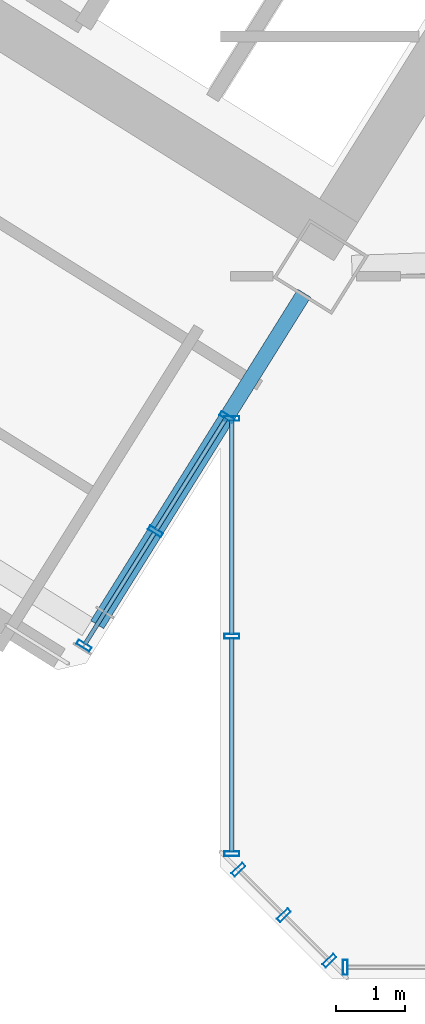
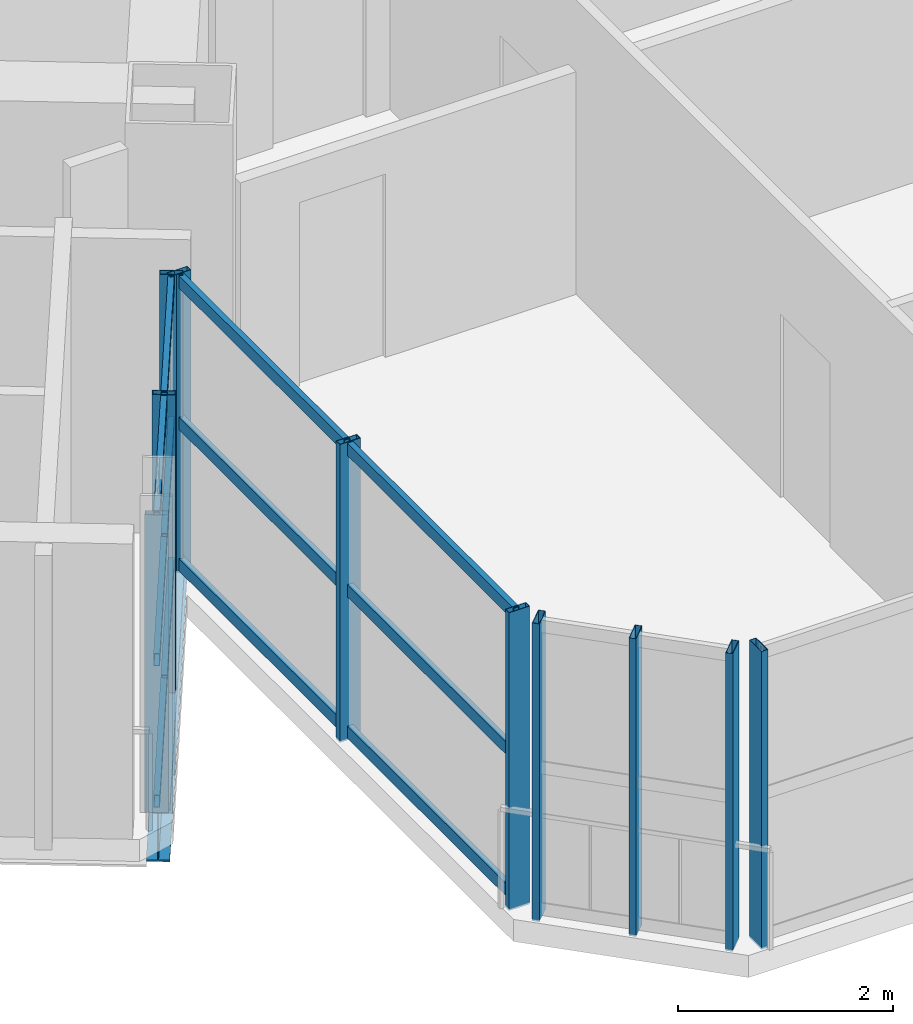
# One storey, part 5 of 24: 22 members, 1 beam, 4 elements without a shape of their own.
"""IFC4 building model written with IfcOpenShell, lengths in metres."""

import ifcopenshell
import ifcopenshell.guid

model = None  # the IFC model being written
_history = None  # IfcOwnerHistory: only IFC2X3 demands one
_inside = {}  # id of a spatial element -> (the spatial element, [elements in it])
_under = {}  # id of a project, library or spatial element -> (it, [spatial elements below it])
_declared = {}  # id of a project -> (the project, [libraries it declares])
_typed = {}  # id of a type object -> (the type object, [elements of that type])
_made_of = {}  # id of a material, layer set ... -> (it, [elements and type objects made of it])


def new_model(schema):
    """Start an empty IFC model of exactly this schema.

    Asked for "IFC4X3", IfcOpenShell would pick the latest addendum, in which some entities
    have other attributes; the version numbers below select the first issue.
    IFC2X3 requires an IfcOwnerHistory on every rooted entity: one is made here for all.
    """
    global model, _history
    if schema == "IFC4X3":
        model = ifcopenshell.file(schema_version=(4, 3, 0, 0))
    else:
        model = ifcopenshell.file(schema=schema)
    _inside.clear()
    _under.clear()
    _declared.clear()
    _typed.clear()
    _made_of.clear()
    _history = None
    if model.schema == "IFC2X3":
        org = make("IfcOrganization", Name="unknown")
        user = make(
            "IfcPersonAndOrganization",
            ThePerson=make("IfcPerson", FamilyName="unknown"),
            TheOrganization=org,
        )
        app = make(
            "IfcApplication",
            ApplicationDeveloper=org,
            Version="unknown",
            ApplicationFullName="unknown",
            ApplicationIdentifier="unknown",
        )
        _history = make(
            "IfcOwnerHistory",
            OwningUser=user,
            OwningApplication=app,
            ChangeAction="ADDED",
            CreationDate=0,
        )
    return model


def make(cls, **values):
    """One entity of the class cls with the attributes given. An attribute that is None is left unset."""
    return model.create_entity(
        cls, **{name: value for name, value in values.items() if value is not None}
    )


def rooted(cls, **values):
    """An entity with a GlobalId (a new one), such as an element, a storey or a relation."""
    return make(cls, GlobalId=ifcopenshell.guid.new(), OwnerHistory=_history, **values)


def si_unit(unit_type, name, prefix=None):
    """IfcSIUnit, for example si_unit("LENGTHUNIT", "METRE", prefix="MILLI")."""
    return make("IfcSIUnit", UnitType=unit_type, Prefix=prefix, Name=name)


def assignment(units):
    """IfcUnitAssignment: the units of a project."""
    return None if units is None else make("IfcUnitAssignment", Units=units)


def point(xyz):
    """IfcCartesianPoint."""
    return None if xyz is None else make("IfcCartesianPoint", Coordinates=xyz)


def direction(xyz):
    """IfcDirection."""
    return None if xyz is None else make("IfcDirection", DirectionRatios=xyz)


def frame(location, z_axis=None, x_axis=None):
    """IfcAxis2Placement3D, a coordinate frame: its origin and axes. An axis left out is left unset."""
    return make(
        "IfcAxis2Placement3D",
        Location=point(location),
        Axis=direction(z_axis),
        RefDirection=direction(x_axis),
    )


def frame_2d(location, x_axis=None):
    """IfcAxis2Placement2D, a coordinate frame in the plane: its origin and x axis."""
    return make(
        "IfcAxis2Placement2D", Location=point(location), RefDirection=direction(x_axis)
    )


def origin():
    """The frame at (0, 0, 0) with its axes left unset."""
    return frame((0.0, 0.0, 0.0))


def origin_2d():
    """The frame at (0, 0) in the plane with its x axis left unset."""
    return frame_2d((0.0, 0.0))


def place(relative_to, where):
    """IfcLocalPlacement: puts the frame where relative to a parent placement (None: the world)."""
    return make(
        "IfcLocalPlacement", PlacementRelTo=relative_to, RelativePlacement=where
    )


def context(
    kind, dimensions, precision=None, world=None, true_north=None, identifier=None
):
    """IfcGeometricRepresentationContext, for example the 3D "Model" context."""
    return make(
        "IfcGeometricRepresentationContext",
        ContextIdentifier=identifier,
        ContextType=kind,
        CoordinateSpaceDimension=dimensions,
        Precision=precision,
        WorldCoordinateSystem=world,
        TrueNorth=true_north,
    )


def subcontext(parent, identifier, kind, view, scale=None):
    """IfcGeometricRepresentationSubContext, for example "Body" below "Model"."""
    return make(
        "IfcGeometricRepresentationSubContext",
        ContextIdentifier=identifier,
        ContextType=kind,
        ParentContext=parent,
        TargetScale=scale,
        TargetView=view,
    )


def project(units=None, contexts=None):
    """IfcProject with its units and contexts."""
    return rooted(
        "IfcProject",
        Name="project",
        RepresentationContexts=contexts,
        UnitsInContext=assignment(units),
    )


def spatial(cls, under=None, at=None, **own):
    """A site, building, storey or space (cls), placed at a placement, below another one or the project."""
    s = rooted(cls, ObjectPlacement=at, **own)
    if under is not None:
        _under.setdefault(under.id(), (under, []))[1].append(s)
    return s


def profile(cls, at=None, kind="AREA", **sizes):
    """A parametric profile (cls). Its sizes go by their IFC names, for example OverallWidth=200.0."""
    return make(cls, ProfileType=kind, Position=at, **sizes)


def hollow_rectangle(**sizes):
    """IfcRectangleHollowProfileDef."""
    return profile("IfcRectangleHollowProfileDef", **sizes)


def i_section(**sizes):
    """IfcIShapeProfileDef."""
    return profile("IfcIShapeProfileDef", **sizes)


def extrude(swept, where, along, depth):
    """IfcExtrudedAreaSolid: the profile swept, set in the frame where, extruded along a direction by depth."""
    return make(
        "IfcExtrudedAreaSolid",
        SweptArea=swept,
        Position=where,
        ExtrudedDirection=direction(along),
        Depth=depth,
    )


def shape(context_of_items, identifier, shape_type, items):
    """IfcShapeRepresentation: the items that make up one representation, for example the "Body"."""
    return make(
        "IfcShapeRepresentation",
        ContextOfItems=context_of_items,
        RepresentationIdentifier=identifier,
        RepresentationType=shape_type,
        Items=items,
    )


def source(mapping_origin, context_of_items, identifier, shape_type, items):
    """IfcRepresentationMap: a shape defined once, which mapped items show again and again."""
    return make(
        "IfcRepresentationMap",
        MappingOrigin=mapping_origin,
        MappedRepresentation=shape(context_of_items, identifier, shape_type, items),
    )


def transform(
    local_origin,
    x_axis=None,
    y_axis=None,
    z_axis=None,
    scale=None,
    scale2=None,
    scale3=None,
    uniform=True,
):
    """IfcCartesianTransformationOperator3D, or its non-uniform kind. x_axis, y_axis, z_axis: its Axis1, 2, 3."""
    if uniform:
        return make(
            "IfcCartesianTransformationOperator3D",
            Axis1=direction(x_axis),
            Axis2=direction(y_axis),
            LocalOrigin=point(local_origin),
            Scale=scale,
            Axis3=direction(z_axis),
        )
    return make(
        "IfcCartesianTransformationOperator3DnonUniform",
        Axis1=direction(x_axis),
        Axis2=direction(y_axis),
        LocalOrigin=point(local_origin),
        Scale=scale,
        Axis3=direction(z_axis),
        Scale2=scale2,
        Scale3=scale3,
    )


def mapped(mapping_source, mapping_target):
    """IfcMappedItem: shows the shape of a source again, moved by a transform."""
    return make(
        "IfcMappedItem", MappingSource=mapping_source, MappingTarget=mapping_target
    )


def material(Name=None, Category=None):
    """IfcMaterial."""
    return make("IfcMaterial", Name=Name, Category=Category)


def material_profile(
    of_material, cross_section, Name=None, Category=None, Priority=None
):
    """IfcMaterialProfile: a cross section and its material."""
    return make(
        "IfcMaterialProfile",
        Name=Name,
        Material=of_material,
        Profile=cross_section,
        Priority=Priority,
        Category=Category,
    )


def profile_set(profiles, Name=None, composite=None):
    """IfcMaterialProfileSet."""
    return make(
        "IfcMaterialProfileSet",
        Name=Name,
        MaterialProfiles=profiles,
        CompositeProfile=composite,
    )


def made_of(thing, what):
    """Note that an element or type object is made of a material, layer set ...; save() writes the relation."""
    if what is not None:
        _made_of.setdefault(what.id(), (what, []))[1].append(thing)
    return thing


def type_object(cls, material=None, **own):
    """A type object (cls), such as IfcWallType, which elements share."""
    return made_of(rooted(cls, **own), material)


def element(
    cls,
    number,
    at=None,
    inside=None,
    cuts=None,
    type_object=None,
    material=None,
    context=None,
    identifier="Body",
    shape_type=None,
    held_by="IfcProductDefinitionShape",
    body=None,
    shapes=None,
    **own,
):
    """One element of the class cls, such as IfcWall. Its Tag is "e" and its number.

    at: its placement. inside: the storey or other place that contains it. cuts: it is an
    opening in that element (IfcRelVoidsElement). A single representation is given by context,
    identifier, shape_type and body (its items); several are given by shapes. held_by: the class
    of the entity that holds the representations. save() writes the other relations.
    """
    e = rooted(cls, Tag="e%d" % number, ObjectPlacement=at, **own)
    if body is not None:
        shapes = [shape(context, identifier, shape_type, body)]
    if shapes is not None:
        e.Representation = make(held_by, Representations=shapes)
    if inside is not None:
        _inside.setdefault(inside.id(), (inside, []))[1].append(e)
    if cuts is not None:
        rooted(
            "IfcRelVoidsElement", RelatingBuildingElement=cuts, RelatedOpeningElement=e
        )
    if type_object is not None:
        _typed.setdefault(type_object.id(), (type_object, []))[1].append(e)
    return made_of(e, material)


def aggregate(whole, parts):
    """IfcRelAggregates: a whole, such as a stair, and the parts it consists of."""
    return rooted("IfcRelAggregates", RelatingObject=whole, RelatedObjects=parts)


def save(model, path):
    """Write the relations noted so far, then the file.

    IfcRelAggregates (storeys below a building ...), IfcRelContainedInSpatialStructure (elements
    in a storey), IfcRelDefinesByType, IfcRelAssociatesMaterial and IfcRelDeclares: one each for
    every whole, place, type object, material and project.
    """
    for whole, parts in _under.values():
        aggregate(whole, parts)
    for where, things in _inside.values():
        rooted(
            "IfcRelContainedInSpatialStructure",
            RelatedElements=things,
            RelatingStructure=where,
        )
    for kind, things in _typed.values():
        rooted("IfcRelDefinesByType", RelatedObjects=things, RelatingType=kind)
    for what, things in _made_of.values():
        rooted("IfcRelAssociatesMaterial", RelatedObjects=things, RelatingMaterial=what)
    for by, libraries in _declared.values():
        rooted("IfcRelDeclares", RelatingContext=by, RelatedDefinitions=libraries)
    model.write(path)


model = new_model("IFC4")

# Units and contexts
model_context = context("Model", 3, precision=1e-05, world=origin(), true_north=direction((0.0, 1.0)))
body_context = subcontext(model_context, "Body", "Model", "MODEL_VIEW")
ifc_project = project(units=[si_unit("LENGTHUNIT", "METRE"), si_unit("AREAUNIT", "SQUARE_METRE"), si_unit("VOLUMEUNIT", "CUBIC_METRE"), si_unit("PLANEANGLEUNIT", "RADIAN"), si_unit("MASSUNIT", "GRAM", prefix="KILO")], contexts=[model_context])

# Site, building, storey
site_placement = place(None, origin())
site = spatial("IfcSite", under=ifc_project, at=site_placement, CompositionType="ELEMENT")
building_placement = place(site_placement, origin())
building = spatial("IfcBuilding", under=site, at=building_placement, Name="Tlacorven Tower", CompositionType="ELEMENT")
storey_placement = place(building_placement, frame((0.0, 0.0, 31.199951171875)))
storey = spatial("IfcBuildingStorey", under=building, at=storey_placement, Name="L07", CompositionType="ELEMENT", Elevation=31.199951171875)

# Beam
ifc_material_1 = material(Name="Steel S355J2", Category="steel")
ifc_material_profile_1 = material_profile(ifc_material_1, i_section(OverallWidth=0.219970703125, OverallDepth=0.60009765625, WebThickness=0.011962890625, FlangeThickness=0.01904296875, at=origin_2d()), Name="IPE 600")
ifc_profile_set_1 = profile_set([ifc_material_profile_1], Name="Steel S355J2")
beam_type = type_object("IfcBeamType", Name="BM-TWR-600", PredefinedType="BEAM", material=ifc_profile_set_1)
shared_shape_1 = source(origin(), body_context, "Body", "SweptSolid", [
    extrude(i_section(OverallWidth=0.219970703125, OverallDepth=0.60009765625, WebThickness=0.011962890625, FlangeThickness=0.01904296875, at=origin_2d()), origin(), (0.0, 0.0, 1.0), 5.64990234375),
])
beam_placement = place(storey_placement, frame((32.8076171875, 11.705322265625, -0.550048828125), z_axis=(-0.529897948462, -0.848061415356, 0.0), x_axis=(0.848061415356, -0.529897948462, 0.0)))
element("IfcBeam", 1, at=beam_placement, inside=storey, type_object=beam_type, Name="L07 beam BM-L07-WT1-2", PredefinedType="BEAM", context=body_context, shape_type="MappedRepresentation", body=[
    mapped(shared_shape_1, transform((0.0, 0.0, 0.0), scale=1.0)),
])

# Curtain wall, member
ifc_material_2 = material(Name="Dark solar low-E double glazing in aluminium frame", Category="aluminium")
curtain_wall_type = type_object("IfcCurtainWallType", Name="CW-TWR-LOW", PredefinedType="USERDEFINED", material=ifc_material_2)
curtain_wall_1_placement = place(storey_placement, origin())
curtain_wall_1 = element("IfcCurtainWall", 2, at=curtain_wall_1_placement, inside=storey, type_object=curtain_wall_type, Name="L07 CW-TWR-LOW Curtain Wall 34", ObjectType="UNITISED CURTAIN WALL", PredefinedType="USERDEFINED")
ifc_material_3 = material(Name="Aluminium 6063-T6 anodised", Category="aluminium")
ifc_material_profile_2 = material_profile(ifc_material_3, hollow_rectangle(XDim=0.070068359375, YDim=0.219970703125, WallThickness=0.0048828125, at=origin_2d()), Name="ALU MULLION 70X220")
ifc_profile_set_2 = profile_set([ifc_material_profile_2], Name="Aluminium 6063-T6 anodised")
member_type_1 = type_object("IfcMemberType", Name="CWM-01", PredefinedType="MULLION", material=ifc_profile_set_2)
shared_shape_2 = source(origin(), body_context, "Body", "SweptSolid", [
    extrude(hollow_rectangle(XDim=0.070068359375, YDim=0.219970703125, WallThickness=0.0048828125, at=origin_2d()), origin(), (0.0, 0.0, 1.0), 3.380126953125),
])
member_1_placement = place(storey_placement, frame((33.4013671875, 1.9599609375, -0.02001953125), z_axis=(0.0, 0.0, 1.0), x_axis=(-1.0, 0.0, 0.0)))
member_1 = element("IfcMember", 3, at=member_1_placement, type_object=member_type_1, Name="CW-L07-034 Mullion 4", PredefinedType="MULLION", context=body_context, shape_type="MappedRepresentation", body=[
    mapped(shared_shape_2, transform((0.0, 0.0, 0.0), scale=1.0)),
])
aggregate(curtain_wall_1, [member_1])

# Curtain wall, members
curtain_wall_2_placement = place(storey_placement, origin())
curtain_wall_2 = element("IfcCurtainWall", 4, at=curtain_wall_2_placement, inside=storey, type_object=curtain_wall_type, Name="L07 CW-TWR-LOW Curtain Wall 35", ObjectType="UNITISED CURTAIN WALL", PredefinedType="USERDEFINED")
member_2_placement = place(storey_placement, frame((33.1708984375, 2.055419921875, -0.02001953125), z_axis=(0.0, 0.0, 1.0), x_axis=(-0.707106781187, 0.707106781187, 0.0)))
member_2 = element("IfcMember", 5, at=member_2_placement, type_object=member_type_1, Name="CW-L07-035 Mullion 1", PredefinedType="MULLION", context=body_context, shape_type="MappedRepresentation", body=[
    mapped(shared_shape_2, transform((0.0, 0.0, 0.0), scale=1.0)),
])
member_3_placement = place(storey_placement, frame((32.51318359375, 2.713134765625, -0.02001953125), z_axis=(0.0, 0.0, 1.0), x_axis=(-0.707106781187, 0.707106781187, 0.0)))
member_3 = element("IfcMember", 6, at=member_3_placement, type_object=member_type_1, Name="CW-L07-035 Mullion 2", PredefinedType="MULLION", context=body_context, shape_type="MappedRepresentation", body=[
    mapped(shared_shape_2, transform((0.0, 0.0, 0.0), scale=1.0)),
])
member_4_placement = place(storey_placement, frame((31.85546875, 3.370849609375, -0.02001953125), z_axis=(0.0, 0.0, 1.0), x_axis=(-0.707106781187, 0.707106781187, 0.0)))
member_4 = element("IfcMember", 7, at=member_4_placement, type_object=member_type_1, Name="CW-L07-035 Mullion 3", PredefinedType="MULLION", context=body_context, shape_type="MappedRepresentation", body=[
    mapped(shared_shape_2, transform((0.0, 0.0, 0.0), scale=1.0)),
])
aggregate(curtain_wall_2, [member_2, member_3, member_4])

curtain_wall_3_placement = place(storey_placement, origin())
curtain_wall_3 = element("IfcCurtainWall", 8, at=curtain_wall_3_placement, inside=storey, type_object=curtain_wall_type, Name="L07 CW-TWR-LOW Curtain Wall 36", ObjectType="UNITISED CURTAIN WALL", PredefinedType="USERDEFINED")
member_5_placement = place(storey_placement, frame((31.760009765625, 3.601318359375, -0.02001953125), z_axis=(0.0, 0.0, 1.0), x_axis=(0.0, 1.0, 0.0)))
member_5 = element("IfcMember", 9, at=member_5_placement, type_object=member_type_1, Name="CW-L07-036 Mullion 1", PredefinedType="MULLION", context=body_context, shape_type="MappedRepresentation", body=[
    mapped(shared_shape_2, transform((0.0, 0.0, 0.0), scale=1.0)),
])
member_6_placement = place(storey_placement, frame((31.760009765625, 6.74755859375, -0.02001953125), z_axis=(0.0, 0.0, 1.0), x_axis=(0.0, 1.0, 0.0)))
member_6 = element("IfcMember", 10, at=member_6_placement, type_object=member_type_1, Name="CW-L07-036 Mullion 2", PredefinedType="MULLION", context=body_context, shape_type="MappedRepresentation", body=[
    mapped(shared_shape_2, transform((0.0, 0.0, 0.0), scale=1.0)),
])
member_7_placement = place(storey_placement, frame((31.760009765625, 9.8935546875, -0.02001953125), z_axis=(0.0, 0.0, 1.0), x_axis=(0.0, 1.0, 0.0)))
member_7 = element("IfcMember", 11, at=member_7_placement, type_object=member_type_1, Name="CW-L07-036 Mullion 3", PredefinedType="MULLION", context=body_context, shape_type="MappedRepresentation", body=[
    mapped(shared_shape_2, transform((0.0, 0.0, 0.0), scale=1.0)),
])

curtain_wall_4_placement = place(storey_placement, origin())
curtain_wall_4 = element("IfcCurtainWall", 12, at=curtain_wall_4_placement, inside=storey, type_object=curtain_wall_type, Name="L07 CW-TWR-LOW Curtain Wall 37", ObjectType="UNITISED CURTAIN WALL", PredefinedType="USERDEFINED")
member_8_placement = place(storey_placement, frame((31.6884765625, 9.9140625, -0.02001953125), z_axis=(0.0, 0.0, 1.0), x_axis=(-0.529918710919, -0.848048441905, 0.0)))
member_8 = element("IfcMember", 13, at=member_8_placement, type_object=member_type_1, Name="CW-L07-037 Mullion 1", PredefinedType="MULLION", context=body_context, shape_type="MappedRepresentation", body=[
    mapped(shared_shape_2, transform((0.0, 0.0, 0.0), scale=1.0)),
])
member_9_placement = place(storey_placement, frame((30.656005859375, 8.261962890625, -0.02001953125), z_axis=(0.0, 0.0, 1.0), x_axis=(-0.529918710919, -0.848048441905, 0.0)))
member_9 = element("IfcMember", 14, at=member_9_placement, type_object=member_type_1, Name="CW-L07-037 Mullion 2", PredefinedType="MULLION", context=body_context, shape_type="MappedRepresentation", body=[
    mapped(shared_shape_2, transform((0.0, 0.0, 0.0), scale=1.0)),
])
member_10_placement = place(storey_placement, frame((29.62353515625, 6.609619140625, -0.02001953125), z_axis=(0.0, 0.0, 1.0), x_axis=(-0.529918710919, -0.848048441905, 0.0)))
member_10 = element("IfcMember", 15, at=member_10_placement, type_object=member_type_1, Name="CW-L07-037 Mullion 3", PredefinedType="MULLION", context=body_context, shape_type="MappedRepresentation", body=[
    mapped(shared_shape_2, transform((0.0, 0.0, 0.0), scale=1.0)),
])

# Member
ifc_material_profile_3 = material_profile(ifc_material_3, hollow_rectangle(XDim=0.06005859375, YDim=0.139892578125, WallThickness=0.00390625, at=origin_2d()), Name="ALU TRANSOM 60X140")
ifc_profile_set_3 = profile_set([ifc_material_profile_3], Name="Aluminium 6063-T6 anodised")
member_type_2 = type_object("IfcMemberType", Name="CWT-02", PredefinedType="USERDEFINED", material=ifc_profile_set_3)
shared_shape_3 = source(origin(), body_context, "Body", "SweptSolid", [
    extrude(hollow_rectangle(XDim=0.06005859375, YDim=0.139892578125, WallThickness=0.00390625, at=origin_2d()), origin(), (0.0, 0.0, 1.0), 3.10009765625),
])
member_11_placement = place(storey_placement, frame((31.760009765625, 3.624267578125, 0.070068359375), z_axis=(0.0, 1.0, 0.0), x_axis=(-1.0, 0.0, 0.0)))
member_11 = element("IfcMember", 16, at=member_11_placement, type_object=member_type_2, Name="CW-L07-036 Transom 1", ObjectType="TRANSOM", PredefinedType="USERDEFINED", context=body_context, shape_type="MappedRepresentation", body=[
    mapped(shared_shape_3, transform((0.0, 0.0, 0.0), scale=1.0)),
])

member_12_placement = place(storey_placement, frame((31.760009765625, 3.624267578125, 1.675048828125), z_axis=(0.0, 1.0, 0.0), x_axis=(-1.0, 0.0, 0.0)))
member_12 = element("IfcMember", 17, at=member_12_placement, type_object=member_type_2, Name="CW-L07-036 Transom 2", ObjectType="TRANSOM", PredefinedType="USERDEFINED", context=body_context, shape_type="MappedRepresentation", body=[
    mapped(shared_shape_3, transform((0.0, 0.0, 0.0), scale=1.0)),
])

member_13_placement = place(storey_placement, frame((31.760009765625, 3.624267578125, 3.280029296875), z_axis=(0.0, 1.0, 0.0), x_axis=(-1.0, 0.0, 0.0)))
member_13 = element("IfcMember", 18, at=member_13_placement, type_object=member_type_2, Name="CW-L07-036 Transom 3", ObjectType="TRANSOM", PredefinedType="USERDEFINED", context=body_context, shape_type="MappedRepresentation", body=[
    mapped(shared_shape_3, transform((0.0, 0.0, 0.0), scale=1.0)),
])

member_14_placement = place(storey_placement, frame((31.760009765625, 6.7705078125, 0.070068359375), z_axis=(0.0, 1.0, 0.0), x_axis=(-1.0, 0.0, 0.0)))
member_14 = element("IfcMember", 19, at=member_14_placement, type_object=member_type_2, Name="CW-L07-036 Transom 4", ObjectType="TRANSOM", PredefinedType="USERDEFINED", context=body_context, shape_type="MappedRepresentation", body=[
    mapped(shared_shape_3, transform((0.0, 0.0, 0.0), scale=1.0)),
])

member_15_placement = place(storey_placement, frame((31.760009765625, 6.7705078125, 1.675048828125), z_axis=(0.0, 1.0, 0.0), x_axis=(-1.0, 0.0, 0.0)))
member_15 = element("IfcMember", 20, at=member_15_placement, type_object=member_type_2, Name="CW-L07-036 Transom 5", ObjectType="TRANSOM", PredefinedType="USERDEFINED", context=body_context, shape_type="MappedRepresentation", body=[
    mapped(shared_shape_3, transform((0.0, 0.0, 0.0), scale=1.0)),
])

member_16_placement = place(storey_placement, frame((31.760009765625, 6.7705078125, 3.280029296875), z_axis=(0.0, 1.0, 0.0), x_axis=(-1.0, 0.0, 0.0)))
member_16 = element("IfcMember", 21, at=member_16_placement, type_object=member_type_2, Name="CW-L07-036 Transom 6", ObjectType="TRANSOM", PredefinedType="USERDEFINED", context=body_context, shape_type="MappedRepresentation", body=[
    mapped(shared_shape_3, transform((0.0, 0.0, 0.0), scale=1.0)),
])

aggregate(curtain_wall_3, [member_5, member_6, member_7, member_11, member_12, member_13, member_14, member_15, member_16])

shared_shape_4 = source(origin(), body_context, "Body", "SweptSolid", [
    extrude(hollow_rectangle(XDim=0.06005859375, YDim=0.139892578125, WallThickness=0.00390625, at=origin_2d()), origin(), (0.0, 0.0, 1.0), 1.902587890625),
])
member_17_placement = place(storey_placement, frame((31.67626953125, 9.894775390625, 0.070068359375), z_axis=(-0.529848980307, -0.848092010378, 0.0), x_axis=(0.848092010378, -0.529848980307, 0.0)))
member_17 = element("IfcMember", 22, at=member_17_placement, type_object=member_type_2, Name="CW-L07-037 Transom 1", ObjectType="TRANSOM", PredefinedType="USERDEFINED", context=body_context, shape_type="MappedRepresentation", body=[
    mapped(shared_shape_4, transform((0.0, 0.0, 0.0), scale=1.0)),
])

member_18_placement = place(storey_placement, frame((31.67626953125, 9.894775390625, 1.675048828125), z_axis=(-0.529848980307, -0.848092010378, 0.0), x_axis=(0.848092010378, -0.529848980307, 0.0)))
member_18 = element("IfcMember", 23, at=member_18_placement, type_object=member_type_2, Name="CW-L07-037 Transom 2", ObjectType="TRANSOM", PredefinedType="USERDEFINED", context=body_context, shape_type="MappedRepresentation", body=[
    mapped(shared_shape_4, transform((0.0, 0.0, 0.0), scale=1.0)),
])

member_19_placement = place(storey_placement, frame((31.67626953125, 9.894775390625, 3.280029296875), z_axis=(-0.529848980307, -0.848092010378, 0.0), x_axis=(0.848092010378, -0.529848980307, 0.0)))
member_19 = element("IfcMember", 24, at=member_19_placement, type_object=member_type_2, Name="CW-L07-037 Transom 3", ObjectType="TRANSOM", PredefinedType="USERDEFINED", context=body_context, shape_type="MappedRepresentation", body=[
    mapped(shared_shape_4, transform((0.0, 0.0, 0.0), scale=1.0)),
])

shared_shape_5 = source(origin(), body_context, "Body", "SweptSolid", [
    extrude(hollow_rectangle(XDim=0.06005859375, YDim=0.139892578125, WallThickness=0.00390625, at=origin_2d()), origin(), (0.0, 0.0, 1.0), 1.90234375),
])
member_20_placement = place(storey_placement, frame((30.643798828125, 8.242431640625, 0.070068359375), z_axis=(-0.52990664903, -0.84805597888, 0.0), x_axis=(0.84805597888, -0.52990664903, 0.0)))
member_20 = element("IfcMember", 25, at=member_20_placement, type_object=member_type_2, Name="CW-L07-037 Transom 4", ObjectType="TRANSOM", PredefinedType="USERDEFINED", context=body_context, shape_type="MappedRepresentation", body=[
    mapped(shared_shape_5, transform((0.0, 0.0, 0.0), scale=1.0)),
])

member_21_placement = place(storey_placement, frame((30.643798828125, 8.242431640625, 1.675048828125), z_axis=(-0.52990664903, -0.84805597888, 0.0), x_axis=(0.84805597888, -0.52990664903, 0.0)))
member_21 = element("IfcMember", 26, at=member_21_placement, type_object=member_type_2, Name="CW-L07-037 Transom 5", ObjectType="TRANSOM", PredefinedType="USERDEFINED", context=body_context, shape_type="MappedRepresentation", body=[
    mapped(shared_shape_5, transform((0.0, 0.0, 0.0), scale=1.0)),
])

member_22_placement = place(storey_placement, frame((30.643798828125, 8.242431640625, 3.280029296875), z_axis=(-0.52990664903, -0.84805597888, 0.0), x_axis=(0.84805597888, -0.52990664903, 0.0)))
member_22 = element("IfcMember", 27, at=member_22_placement, type_object=member_type_2, Name="CW-L07-037 Transom 6", ObjectType="TRANSOM", PredefinedType="USERDEFINED", context=body_context, shape_type="MappedRepresentation", body=[
    mapped(shared_shape_5, transform((0.0, 0.0, 0.0), scale=1.0)),
])

aggregate(curtain_wall_4, [member_8, member_9, member_10, member_17, member_18, member_19, member_20, member_21, member_22])

save(model, "model.ifc")
